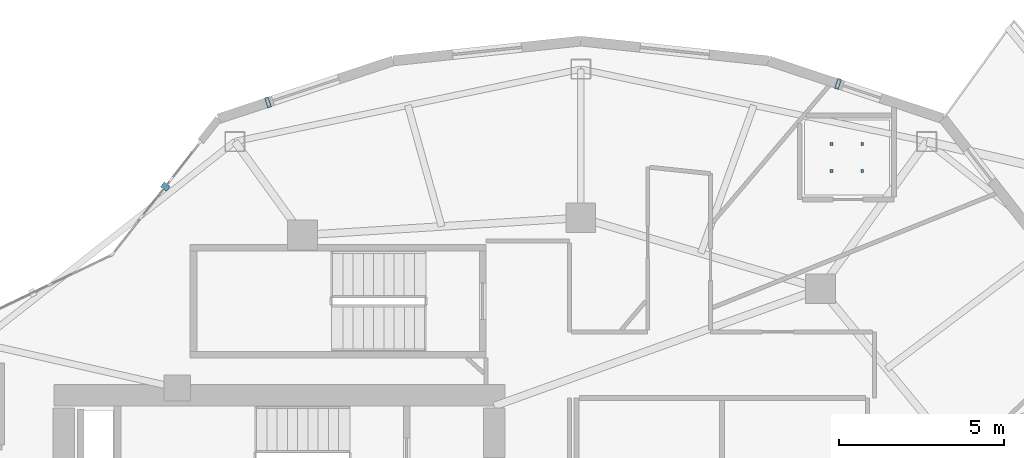
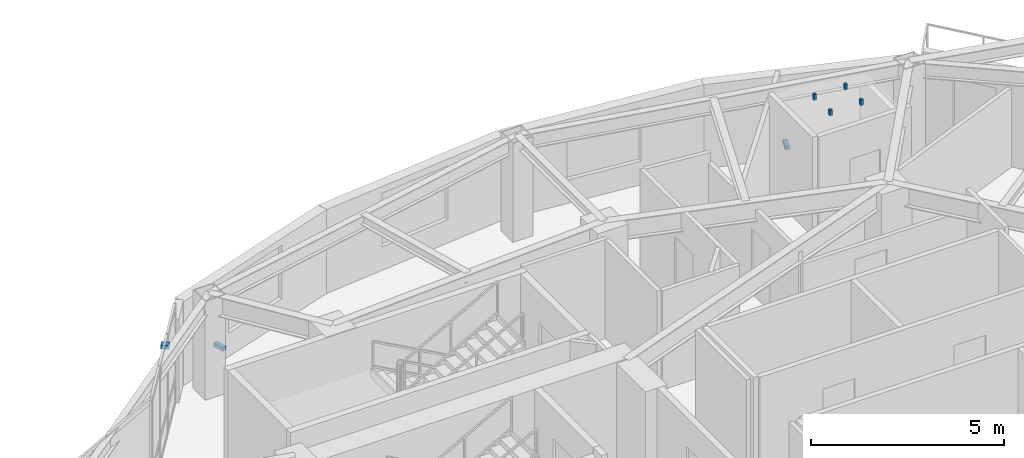
# One storey, part 13 of 16: 7 discrete accessories.
"""IFC4 building model written with IfcOpenShell, lengths in metres."""

from ifc_helpers import new_model, si_unit, direction, frame, origin, origin_2d, place, context, subcontext, project, spatial, rectangle, extrude, material, type_object, element, save


model = new_model("IFC4")

# Units and contexts
model_context = context("Model", 3, precision=1e-05, world=origin(), true_north=direction((0.0, 1.0)))
body_context = subcontext(model_context, "Body", "Model", "MODEL_VIEW")
ifc_project = project(units=[si_unit("LENGTHUNIT", "METRE"), si_unit("AREAUNIT", "SQUARE_METRE"), si_unit("VOLUMEUNIT", "CUBIC_METRE"), si_unit("PLANEANGLEUNIT", "RADIAN"), si_unit("MASSUNIT", "GRAM", prefix="KILO")], contexts=[model_context])

# Site, building, storey
site_placement = place(None, origin())
site = spatial("IfcSite", under=ifc_project, at=site_placement, CompositionType="ELEMENT")
building_placement = place(site_placement, origin())
building = spatial("IfcBuilding", under=site, at=building_placement, Name="Kolvaren Gate Tower and Convention Centre", CompositionType="ELEMENT")
storey_placement = place(building_placement, frame((0.0, 0.0, 149.5)))
storey = spatial("IfcBuildingStorey", under=building, at=storey_placement, Name="L38", CompositionType="ELEMENT", Elevation=149.5)

# Discrete accessories
ifc_material_1 = material(Name="Anodized Architectural Aluminium Alloy 6063-T6", Category="aluminium")
discrete_accessory_type_1 = type_object("IfcDiscreteAccessoryType", Name="ARCH-ACC-BRACKET-120", PredefinedType="BRACKET", material=ifc_material_1)
for number, where, z_axis, x_axis, name in (
    (1, (37.91015625, 43.253662109375, 0.2900390625), (0.0, 0.0, 1.0), (0.949239532616, -0.314554144335, 0.0), "Ceramic Fin Wall Anchor Bracket FBK-L38-04"),
    (2, (20.6533203125, 42.69482421875, 0.2900390625), (0.0, 0.0, 1.0), (0.949237885602, 0.314559114537, 0.0), "Ceramic Fin Wall Anchor Bracket FBK-L38-07"),
):
    element("IfcDiscreteAccessory", number, at=place(storey_placement, frame(where, z_axis=z_axis, x_axis=x_axis)), inside=storey, type_object=discrete_accessory_type_1, Name=name, PredefinedType="BRACKET", context=body_context, shape_type="SweptSolid", body=[
        extrude(rectangle(XDim=0.1201171875, YDim=0.320068359375, at=origin_2d()), origin(), (0.0, 0.0, 1.0), 0.1201171875),
    ])
discrete_accessory_placement = place(storey_placement, frame((17.54638671875, 40.142333984375, 2.949951171875), z_axis=(0.0, 0.0, 1.0), x_axis=(0.616446487588, 0.787396804629, 0.0)))
element("IfcDiscreteAccessory", 3, at=discrete_accessory_placement, inside=storey, type_object=discrete_accessory_type_1, Name="Solar Screen Spandrel Anchor Bracket BK-L38-08", PredefinedType="BRACKET", context=body_context, shape_type="SweptSolid", body=[
    extrude(rectangle(XDim=0.179931640625, YDim=0.219970703125, at=origin_2d()), origin(), (0.0, 0.0, 1.0), 0.1201171875),
])
ifc_material_2 = material(Name="Brushed Stainless Steel Grade 316L", Category="steel")
discrete_accessory_type_2 = type_object("IfcDiscreteAccessoryType", Name="ARCH-ACC-HANGER-80", PredefinedType="BRACKET", material=ifc_material_2)
for number, where, z_axis, x_axis, name in (
    (4, (37.7119140625, 40.615966796875, 2.9501953125), (0.0, 0.0, 1.0), (1.0, 0.0, 0.0), "En-suite Bathroom (HTL-L38-09) Ceiling Suspension Hanger Clip 1"),
    (5, (38.637939453125, 40.615966796875, 2.9501953125), (0.0, 0.0, 1.0), (1.0, 0.0, 0.0), "En-suite Bathroom (HTL-L38-09) Ceiling Suspension Hanger Clip 2"),
    (6, (37.7119140625, 41.43408203125, 2.9501953125), (0.0, 0.0, 1.0), (1.0, 0.0, 0.0), "En-suite Bathroom (HTL-L38-09) Ceiling Suspension Hanger Clip 3"),
    (7, (38.637939453125, 41.43408203125, 2.9501953125), (0.0, 0.0, 1.0), (1.0, 0.0, 0.0), "En-suite Bathroom (HTL-L38-09) Ceiling Suspension Hanger Clip 4"),
):
    element("IfcDiscreteAccessory", number, at=place(storey_placement, frame(where, z_axis=z_axis, x_axis=x_axis)), inside=storey, type_object=discrete_accessory_type_2, Name=name, PredefinedType="BRACKET", context=body_context, shape_type="SweptSolid", body=[
        extrude(rectangle(XDim=0.080078125, YDim=0.080078125, at=origin_2d()), origin(), (0.0, 0.0, 1.0), 0.179931640625),
    ])

save(model, "model.ifc")
